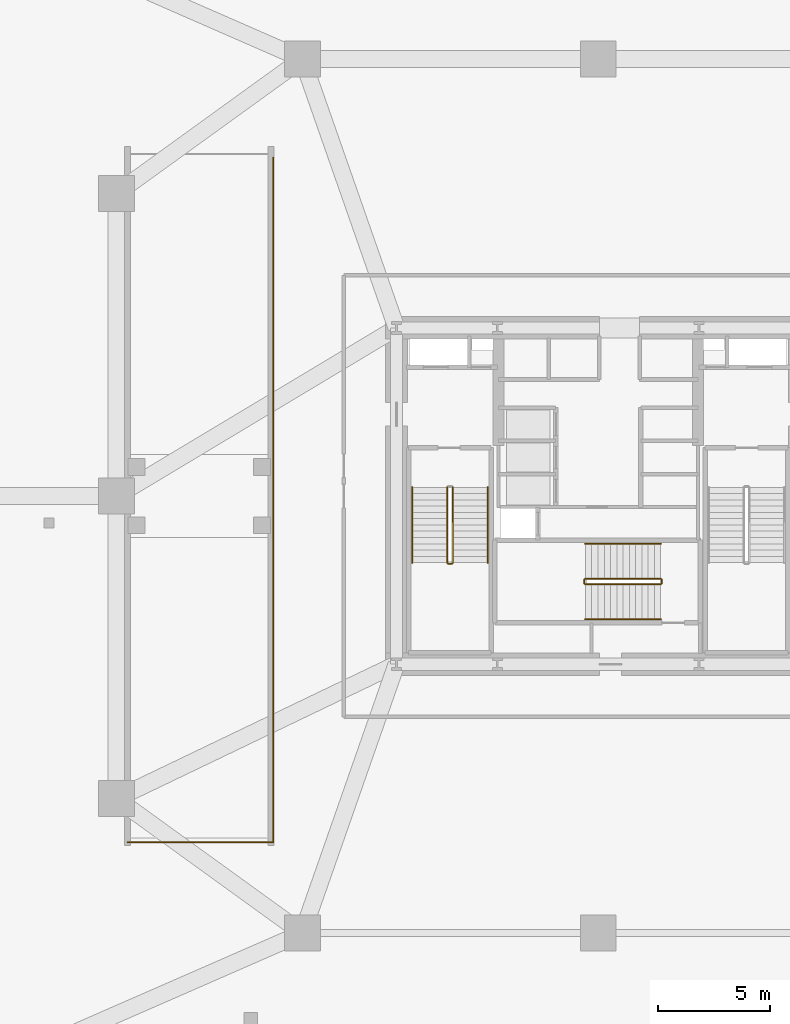
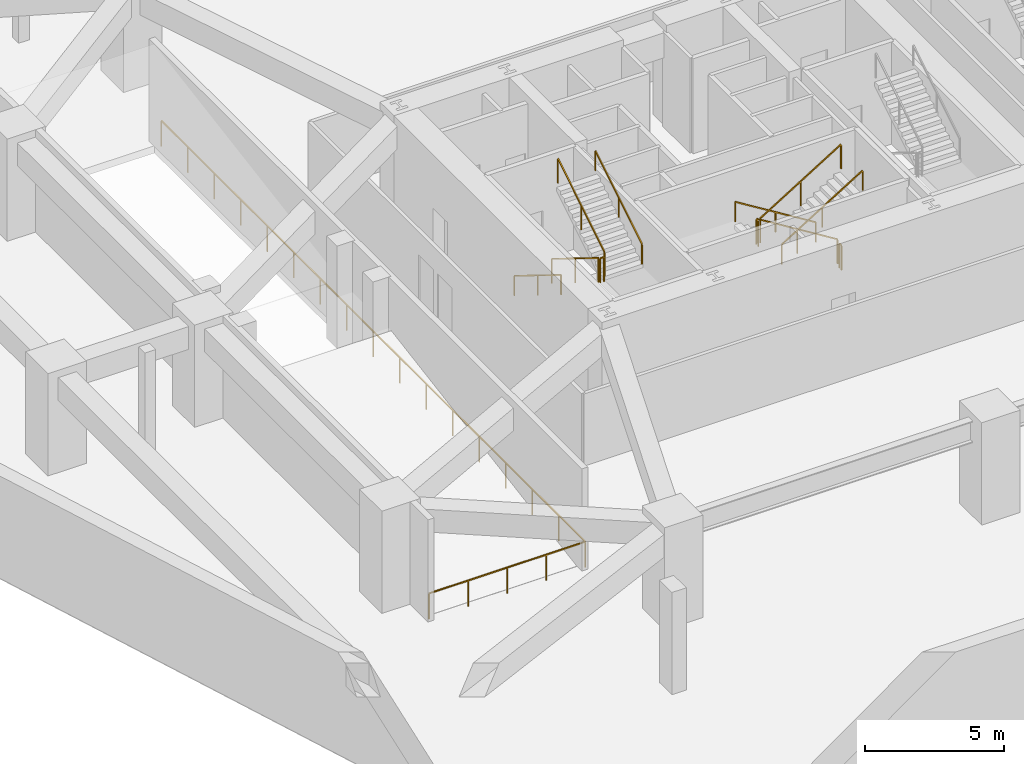
# One storey, part 7 of 9: 12 railings.
"""IFC4 building model written with IfcOpenShell, lengths in metres."""

from ifc_helpers import new_model, si_unit, direction, frame, origin, origin_2d, place, context, subcontext, project, spatial, rectangle, extrude, material, layer, layer_set, type_object, element, save


model = new_model("IFC4")

# Units and contexts
model_context = context("Model", 3, precision=1e-05, world=origin(), true_north=direction((0.0, 1.0)))
body_context = subcontext(model_context, "Body", "Model", "MODEL_VIEW")
ifc_project = project(units=[si_unit("LENGTHUNIT", "METRE"), si_unit("AREAUNIT", "SQUARE_METRE"), si_unit("VOLUMEUNIT", "CUBIC_METRE"), si_unit("PLANEANGLEUNIT", "RADIAN"), si_unit("MASSUNIT", "GRAM", prefix="KILO")], contexts=[model_context])

# Site, building, storey
site_placement = place(None, origin())
site = spatial("IfcSite", under=ifc_project, at=site_placement, CompositionType="ELEMENT")
building_placement = place(site_placement, origin())
building = spatial("IfcBuilding", under=site, at=building_placement, Name="Kilnhurst Terrace Hotel", CompositionType="ELEMENT")
storey_placement = place(building_placement, frame((0.0, 0.0, -4.5)))
storey = spatial("IfcBuildingStorey", under=building, at=storey_placement, Name="B1", CompositionType="ELEMENT", Elevation=-4.5)

# Railings
ifc_material_1 = material(Name="Painted Structural Steel ASTM A500 Grade C Guardrail", Category="steel")
ifc_layer_1 = layer(ifc_material_1, 0.080078125, Name="Painted Structural Steel ASTM A500 Grade C Guardrail")
ifc_layer_set_1 = layer_set([ifc_layer_1], Name="Painted Structural Steel ASTM A500 Grade C Guardrail")
railing_type_1 = type_object("IfcRailingType", Name="RLG-RMP-1150", PredefinedType="GUARDRAIL", material=ifc_layer_set_1)
railing_1_placement = place(storey_placement, frame((-21.0, -15.449951171875, 0.0)))
element("IfcRailing", 1, at=railing_1_placement, inside=storey, type_object=railing_type_1, Name="B1 Car Park Ramp Well Guardrail", PredefinedType="GUARDRAIL", context=body_context, shape_type="SweptSolid", body=[
    extrude(rectangle(XDim=0.048095703125, YDim=0.048095703125, at=origin_2d()), frame((0.0, 0.0, 1.1259765625), z_axis=(1.0, 0.0, 0.0), x_axis=(0.0, 1.0, 0.0)), (0.0, 0.0, 1.0), 6.5),
    extrude(rectangle(XDim=0.048095703125, YDim=0.048095703125, at=origin_2d()), frame((6.5, 0.0, 1.1259765625), z_axis=(0.0, 1.0, 0.0), x_axis=(-1.0, 0.0, 0.0)), (0.0, 0.0, 1.0), 30.550048828125),
    extrude(rectangle(XDim=0.0419921875, YDim=0.0419921875, at=origin_2d()), origin(), (0.0, 0.0, 1.0), 1.101806640625),
    extrude(rectangle(XDim=0.0419921875, YDim=0.0419921875, at=origin_2d()), frame((1.625, 0.0, 0.0)), (0.0, 0.0, 1.0), 1.101806640625),
    extrude(rectangle(XDim=0.0419921875, YDim=0.0419921875, at=origin_2d()), frame((3.25, 0.0, 0.0)), (0.0, 0.0, 1.0), 1.101806640625),
    extrude(rectangle(XDim=0.0419921875, YDim=0.0419921875, at=origin_2d()), frame((4.875, 0.0, 0.0)), (0.0, 0.0, 1.0), 1.101806640625),
    extrude(rectangle(XDim=0.0419921875, YDim=0.0419921875, at=origin_2d()), frame((6.5, 0.0, 0.0)), (0.0, 0.0, 1.0), 1.101806640625),
    extrude(rectangle(XDim=0.0419921875, YDim=0.0419921875, at=origin_2d()), frame((6.5, 1.909423828125, 0.0)), (0.0, 0.0, 1.0), 1.101806640625),
    extrude(rectangle(XDim=0.0419921875, YDim=0.0419921875, at=origin_2d()), frame((6.5, 3.81884765625, 0.0)), (0.0, 0.0, 1.0), 1.101806640625),
    extrude(rectangle(XDim=0.0419921875, YDim=0.0419921875, at=origin_2d()), frame((6.5, 5.72802734375, 0.0)), (0.0, 0.0, 1.0), 1.101806640625),
    extrude(rectangle(XDim=0.0419921875, YDim=0.0419921875, at=origin_2d()), frame((6.5, 7.637451171875, 0.0)), (0.0, 0.0, 1.0), 1.101806640625),
    extrude(rectangle(XDim=0.0419921875, YDim=0.0419921875, at=origin_2d()), frame((6.5, 9.546875, 0.0)), (0.0, 0.0, 1.0), 1.101806640625),
    extrude(rectangle(XDim=0.0419921875, YDim=0.0419921875, at=origin_2d()), frame((6.5, 11.456298828125, 0.0)), (0.0, 0.0, 1.0), 1.101806640625),
    extrude(rectangle(XDim=0.0419921875, YDim=0.0419921875, at=origin_2d()), frame((6.5, 13.36572265625, 0.0)), (0.0, 0.0, 1.0), 1.101806640625),
    extrude(rectangle(XDim=0.0419921875, YDim=0.0419921875, at=origin_2d()), frame((6.5, 15.27490234375, 0.0)), (0.0, 0.0, 1.0), 1.101806640625),
    extrude(rectangle(XDim=0.0419921875, YDim=0.0419921875, at=origin_2d()), frame((6.5, 17.184326171875, 0.0)), (0.0, 0.0, 1.0), 1.101806640625),
    extrude(rectangle(XDim=0.0419921875, YDim=0.0419921875, at=origin_2d()), frame((6.5, 19.09375, 0.0)), (0.0, 0.0, 1.0), 1.101806640625),
    extrude(rectangle(XDim=0.0419921875, YDim=0.0419921875, at=origin_2d()), frame((6.5, 21.003173828125, 0.0)), (0.0, 0.0, 1.0), 1.101806640625),
    extrude(rectangle(XDim=0.0419921875, YDim=0.0419921875, at=origin_2d()), frame((6.5, 22.91259765625, 0.0)), (0.0, 0.0, 1.0), 1.101806640625),
    extrude(rectangle(XDim=0.0419921875, YDim=0.0419921875, at=origin_2d()), frame((6.5, 24.822021484375, 0.0)), (0.0, 0.0, 1.0), 1.101806640625),
    extrude(rectangle(XDim=0.0419921875, YDim=0.0419921875, at=origin_2d()), frame((6.5, 26.731201171875, 0.0)), (0.0, 0.0, 1.0), 1.101806640625),
    extrude(rectangle(XDim=0.0419921875, YDim=0.0419921875, at=origin_2d()), frame((6.5, 28.640625, 0.0)), (0.0, 0.0, 1.0), 1.101806640625),
    extrude(rectangle(XDim=0.0419921875, YDim=0.0419921875, at=origin_2d()), frame((6.5, 30.550048828125, 0.0)), (0.0, 0.0, 1.0), 1.101806640625),
])
ifc_material_2 = material(Name="Powder-Coated Steel ASTM A500 Grade B", Category="steel")
ifc_layer_2 = layer(ifc_material_2, 0.050048828125, Name="Powder-Coated Steel ASTM A500 Grade B")
ifc_layer_set_2 = layer_set([ifc_layer_2], Name="Powder-Coated Steel ASTM A500 Grade B")
railing_type_2 = type_object("IfcRailingType", Name="RLG-ST-GRD-1100", PredefinedType="GUARDRAIL", material=ifc_layer_set_2)
railing_2_placement = place(storey_placement, frame((-6.739990234375, 0.389892578125, 0.173095703125)))
element("IfcRailing", 2, at=railing_2_placement, inside=storey, type_object=railing_type_2, Name="B1 ST-1 stair guard 1", PredefinedType="GUARDRAIL", context=body_context, shape_type="SweptSolid", body=[
    extrude(rectangle(XDim=0.048095703125, YDim=0.048095703125, at=origin_2d()), frame((0.0, 0.0, 1.076171875), z_axis=(0.0, -0.850606129759, 0.525803396734), x_axis=(1.0, 0.0, 0.0)), (0.0, 0.0, 1.0), 3.949951171875),
    extrude(rectangle(XDim=0.0419921875, YDim=0.0419921875, at=origin_2d()), origin(), (0.0, 0.0, 1.0), 1.052001953125),
    extrude(rectangle(XDim=0.0419921875, YDim=0.0419921875, at=origin_2d()), frame((0.0, -1.679931640625, 1.03857421875)), (0.0, 0.0, 1.0), 1.052001953125),
    extrude(rectangle(XDim=0.0419921875, YDim=0.0419921875, at=origin_2d()), frame((0.0, -3.35986328125, 2.076904296875)), (0.0, 0.0, 1.0), 1.052001953125),
])
railing_3_placement = place(storey_placement, frame((-6.68994140625, -3.02001953125, 2.25)))
element("IfcRailing", 3, at=railing_3_placement, inside=storey, type_object=railing_type_2, Name="B1 ST-1 stair guard 2", PredefinedType="GUARDRAIL", context=body_context, shape_type="SweptSolid", body=[
    extrude(rectangle(XDim=0.048095703125, YDim=0.048095703125, at=origin_2d()), frame((0.0, 0.0, 1.076171875), z_axis=(1.0, 0.0, 0.0), x_axis=(0.0, 1.0, 0.0)), (0.0, 0.0, 1.0), 0.14990234375),
    extrude(rectangle(XDim=0.0419921875, YDim=0.0419921875, at=origin_2d()), origin(), (0.0, 0.0, 1.0), 1.052001953125),
    extrude(rectangle(XDim=0.0419921875, YDim=0.0419921875, at=origin_2d()), frame((0.14990234375, 0.0, 0.0)), (0.0, 0.0, 1.0), 1.052001953125),
])
railing_4_placement = place(storey_placement, frame((-6.489990234375, -2.969970703125, 2.423095703125)))
element("IfcRailing", 4, at=railing_4_placement, inside=storey, type_object=railing_type_2, Name="B1 ST-1 stair guard 3", PredefinedType="GUARDRAIL", context=body_context, shape_type="SweptSolid", body=[
    extrude(rectangle(XDim=0.048095703125, YDim=0.048095703125, at=origin_2d()), frame((0.0, 0.0, 1.076171875), z_axis=(0.0, 0.850606129759, 0.525803396734), x_axis=(-1.0, 0.0, 0.0)), (0.0, 0.0, 1.0), 3.949951171875),
    extrude(rectangle(XDim=0.0419921875, YDim=0.0419921875, at=origin_2d()), origin(), (0.0, 0.0, 1.0), 1.052001953125),
    extrude(rectangle(XDim=0.0419921875, YDim=0.0419921875, at=origin_2d()), frame((0.0, 1.679931640625, 1.03857421875)), (0.0, 0.0, 1.0), 1.052001953125),
    extrude(rectangle(XDim=0.0419921875, YDim=0.0419921875, at=origin_2d()), frame((0.0, 3.35986328125, 2.076904296875)), (0.0, 0.0, 1.0), 1.052001953125),
])
railing_5_placement = place(storey_placement, frame((2.7900390625, -3.68994140625, 0.173095703125)))
element("IfcRailing", 5, at=railing_5_placement, inside=storey, type_object=railing_type_2, Name="B1 ST-3 stair guard 1", PredefinedType="GUARDRAIL", context=body_context, shape_type="SweptSolid", body=[
    extrude(rectangle(XDim=0.048095703125, YDim=0.048095703125, at=origin_2d()), frame((0.0, 0.0, 1.076171875), z_axis=(-0.850623216509, 0.0, 0.525775754039), x_axis=(0.0, -1.0, 0.0)), (0.0, 0.0, 1.0), 3.9501953125),
    extrude(rectangle(XDim=0.0419921875, YDim=0.0419921875, at=origin_2d()), origin(), (0.0, 0.0, 1.0), 1.052001953125),
    extrude(rectangle(XDim=0.0419921875, YDim=0.0419921875, at=origin_2d()), frame((-1.68017578125, 0.0, 1.03857421875)), (0.0, 0.0, 1.0), 1.052001953125),
    extrude(rectangle(XDim=0.0419921875, YDim=0.0419921875, at=origin_2d()), frame((-3.360107421875, 0.0, 2.076904296875)), (0.0, 0.0, 1.0), 1.052001953125),
])
railing_6_placement = place(storey_placement, frame((-0.6201171875, -3.739990234375, 2.25)))
element("IfcRailing", 6, at=railing_6_placement, inside=storey, type_object=railing_type_2, Name="B1 ST-3 stair guard 2", PredefinedType="GUARDRAIL", context=body_context, shape_type="SweptSolid", body=[
    extrude(rectangle(XDim=0.048095703125, YDim=0.048095703125, at=origin_2d()), frame((0.0, 0.0, 1.076171875), z_axis=(0.0, -1.0, 0.0), x_axis=(1.0, 0.0, 0.0)), (0.0, 0.0, 1.0), 0.14990234375),
    extrude(rectangle(XDim=0.0419921875, YDim=0.0419921875, at=origin_2d()), origin(), (0.0, 0.0, 1.0), 1.052001953125),
    extrude(rectangle(XDim=0.0419921875, YDim=0.0419921875, at=origin_2d()), frame((0.0, -0.14990234375, 0.0)), (0.0, 0.0, 1.0), 1.052001953125),
])
railing_7_placement = place(storey_placement, frame((-0.570068359375, -3.93994140625, 2.423095703125)))
element("IfcRailing", 7, at=railing_7_placement, inside=storey, type_object=railing_type_2, Name="B1 ST-3 stair guard 3", PredefinedType="GUARDRAIL", context=body_context, shape_type="SweptSolid", body=[
    extrude(rectangle(XDim=0.048095703125, YDim=0.048095703125, at=origin_2d()), frame((0.0, 0.0, 1.076171875), z_axis=(0.850623216509, 0.0, 0.525775754039), x_axis=(0.0, 1.0, 0.0)), (0.0, 0.0, 1.0), 3.9501953125),
    extrude(rectangle(XDim=0.0419921875, YDim=0.0419921875, at=origin_2d()), origin(), (0.0, 0.0, 1.0), 1.052001953125),
    extrude(rectangle(XDim=0.0419921875, YDim=0.0419921875, at=origin_2d()), frame((1.68017578125, 0.0, 1.03857421875)), (0.0, 0.0, 1.0), 1.052001953125),
    extrude(rectangle(XDim=0.0419921875, YDim=0.0419921875, at=origin_2d()), frame((3.360107421875, 0.0, 2.076904296875)), (0.0, 0.0, 1.0), 1.052001953125),
])
railing_8_placement = place(storey_placement, frame((2.840087890625, -3.739990234375, 0.0)))
element("IfcRailing", 8, at=railing_8_placement, inside=storey, type_object=railing_type_2, Name="B1 ST-3 stair guard 4", PredefinedType="GUARDRAIL", context=body_context, shape_type="SweptSolid", body=[
    extrude(rectangle(XDim=0.048095703125, YDim=0.048095703125, at=origin_2d()), frame((0.0, 0.0, 1.076171875), z_axis=(0.0, -1.0, 0.0), x_axis=(1.0, 0.0, 0.0)), (0.0, 0.0, 1.0), 0.14990234375),
    extrude(rectangle(XDim=0.0419921875, YDim=0.0419921875, at=origin_2d()), origin(), (0.0, 0.0, 1.0), 1.052001953125),
    extrude(rectangle(XDim=0.0419921875, YDim=0.0419921875, at=origin_2d()), frame((0.0, -0.14990234375, 0.0)), (0.0, 0.0, 1.0), 1.052001953125),
])
ifc_material_3 = material(Name="Brushed Stainless Steel AISI 304", Category="steel")
ifc_layer_3 = layer(ifc_material_3, 0.048095703125, Name="Brushed Stainless Steel AISI 304")
ifc_layer_set_3 = layer_set([ifc_layer_3], Name="Brushed Stainless Steel AISI 304")
railing_type_3 = type_object("IfcRailingType", Name="RLG-ST-HRL-900", PredefinedType="HANDRAIL", material=ifc_layer_set_3)
railing_9_placement = place(storey_placement, frame((-8.300048828125, 0.389892578125, 0.173095703125)))
element("IfcRailing", 9, at=railing_9_placement, inside=storey, type_object=railing_type_3, Name="B1 ST-1 stair handrail 1", PredefinedType="HANDRAIL", context=body_context, shape_type="SweptSolid", body=[
    extrude(rectangle(XDim=0.048095703125, YDim=0.048095703125, at=origin_2d()), frame((0.0, 0.0, 0.8759765625), z_axis=(0.0, -0.850606129759, 0.525803396734), x_axis=(1.0, 0.0, 0.0)), (0.0, 0.0, 1.0), 3.949951171875),
    extrude(rectangle(XDim=0.0419921875, YDim=0.0419921875, at=origin_2d()), origin(), (0.0, 0.0, 1.0), 0.851806640625),
    extrude(rectangle(XDim=0.0419921875, YDim=0.0419921875, at=origin_2d()), frame((0.0, -1.679931640625, 1.03857421875)), (0.0, 0.0, 1.0), 0.851806640625),
    extrude(rectangle(XDim=0.0419921875, YDim=0.0419921875, at=origin_2d()), frame((0.0, -3.35986328125, 2.076904296875)), (0.0, 0.0, 1.0), 0.851806640625),
])
railing_10_placement = place(storey_placement, frame((-4.929931640625, -2.969970703125, 2.423095703125)))
element("IfcRailing", 10, at=railing_10_placement, inside=storey, type_object=railing_type_3, Name="B1 ST-1 stair handrail 2", PredefinedType="HANDRAIL", context=body_context, shape_type="SweptSolid", body=[
    extrude(rectangle(XDim=0.048095703125, YDim=0.048095703125, at=origin_2d()), frame((0.0, 0.0, 0.8759765625), z_axis=(0.0, 0.850606129759, 0.525803396734), x_axis=(-1.0, 0.0, 0.0)), (0.0, 0.0, 1.0), 3.949951171875),
    extrude(rectangle(XDim=0.0419921875, YDim=0.0419921875, at=origin_2d()), origin(), (0.0, 0.0, 1.0), 0.851806640625),
    extrude(rectangle(XDim=0.0419921875, YDim=0.0419921875, at=origin_2d()), frame((0.0, 1.679931640625, 1.03857421875)), (0.0, 0.0, 1.0), 0.851806640625),
    extrude(rectangle(XDim=0.0419921875, YDim=0.0419921875, at=origin_2d()), frame((0.0, 3.35986328125, 2.076904296875)), (0.0, 0.0, 1.0), 0.851806640625),
])
railing_11_placement = place(storey_placement, frame((2.7900390625, -2.1298828125, 0.173095703125)))
element("IfcRailing", 11, at=railing_11_placement, inside=storey, type_object=railing_type_3, Name="B1 ST-3 stair handrail 1", PredefinedType="HANDRAIL", context=body_context, shape_type="SweptSolid", body=[
    extrude(rectangle(XDim=0.048095703125, YDim=0.048095703125, at=origin_2d()), frame((0.0, 0.0, 0.8759765625), z_axis=(-0.850623216509, 0.0, 0.525775754039), x_axis=(0.0, -1.0, 0.0)), (0.0, 0.0, 1.0), 3.9501953125),
    extrude(rectangle(XDim=0.0419921875, YDim=0.0419921875, at=origin_2d()), origin(), (0.0, 0.0, 1.0), 0.851806640625),
    extrude(rectangle(XDim=0.0419921875, YDim=0.0419921875, at=origin_2d()), frame((-1.68017578125, 0.0, 1.03857421875)), (0.0, 0.0, 1.0), 0.851806640625),
    extrude(rectangle(XDim=0.0419921875, YDim=0.0419921875, at=origin_2d()), frame((-3.360107421875, 0.0, 2.076904296875)), (0.0, 0.0, 1.0), 0.851806640625),
])
railing_12_placement = place(storey_placement, frame((-0.570068359375, -5.5, 2.423095703125)))
element("IfcRailing", 12, at=railing_12_placement, inside=storey, type_object=railing_type_3, Name="B1 ST-3 stair handrail 2", PredefinedType="HANDRAIL", context=body_context, shape_type="SweptSolid", body=[
    extrude(rectangle(XDim=0.048095703125, YDim=0.048095703125, at=origin_2d()), frame((0.0, 0.0, 0.8759765625), z_axis=(0.850623216509, 0.0, 0.525775754039), x_axis=(0.0, 1.0, 0.0)), (0.0, 0.0, 1.0), 3.9501953125),
    extrude(rectangle(XDim=0.0419921875, YDim=0.0419921875, at=origin_2d()), origin(), (0.0, 0.0, 1.0), 0.851806640625),
    extrude(rectangle(XDim=0.0419921875, YDim=0.0419921875, at=origin_2d()), frame((1.68017578125, 0.0, 1.03857421875)), (0.0, 0.0, 1.0), 0.851806640625),
    extrude(rectangle(XDim=0.0419921875, YDim=0.0419921875, at=origin_2d()), frame((3.360107421875, 0.0, 2.076904296875)), (0.0, 0.0, 1.0), 0.851806640625),
])

save(model, "model.ifc")
